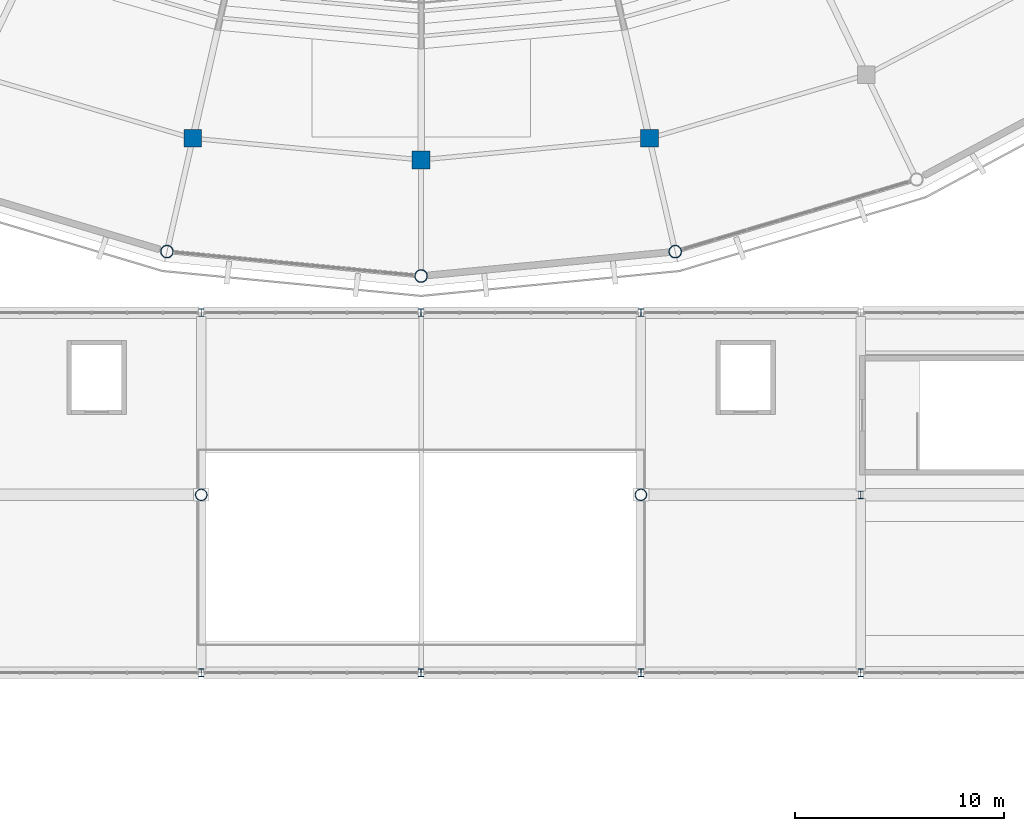
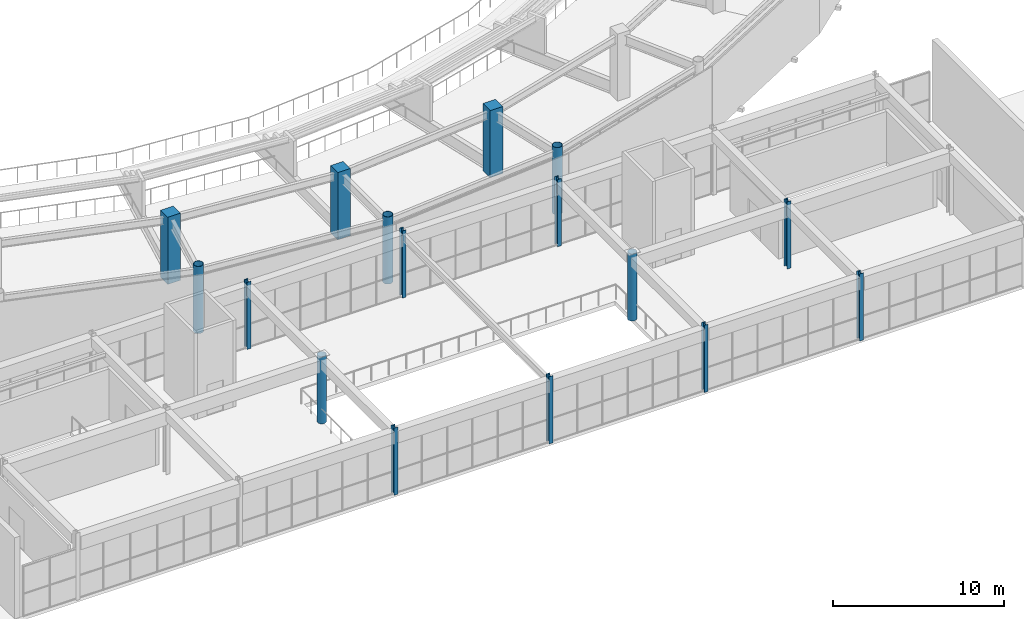
# One storey, part 4 of 122: 16 columns.
"""IFC4 building model written with IfcOpenShell, lengths in metres."""

import ifcopenshell
import ifcopenshell.guid

model = None  # the IFC model being written
_history = None  # IfcOwnerHistory: only IFC2X3 demands one
_inside = {}  # id of a spatial element -> (the spatial element, [elements in it])
_under = {}  # id of a project, library or spatial element -> (it, [spatial elements below it])
_declared = {}  # id of a project -> (the project, [libraries it declares])
_typed = {}  # id of a type object -> (the type object, [elements of that type])
_made_of = {}  # id of a material, layer set ... -> (it, [elements and type objects made of it])


def new_model(schema):
    """Start an empty IFC model of exactly this schema.

    Asked for "IFC4X3", IfcOpenShell would pick the latest addendum, in which some entities
    have other attributes; the version numbers below select the first issue.
    IFC2X3 requires an IfcOwnerHistory on every rooted entity: one is made here for all.
    """
    global model, _history
    if schema == "IFC4X3":
        model = ifcopenshell.file(schema_version=(4, 3, 0, 0))
    else:
        model = ifcopenshell.file(schema=schema)
    _inside.clear()
    _under.clear()
    _declared.clear()
    _typed.clear()
    _made_of.clear()
    _history = None
    if model.schema == "IFC2X3":
        org = make("IfcOrganization", Name="unknown")
        user = make(
            "IfcPersonAndOrganization",
            ThePerson=make("IfcPerson", FamilyName="unknown"),
            TheOrganization=org,
        )
        app = make(
            "IfcApplication",
            ApplicationDeveloper=org,
            Version="unknown",
            ApplicationFullName="unknown",
            ApplicationIdentifier="unknown",
        )
        _history = make(
            "IfcOwnerHistory",
            OwningUser=user,
            OwningApplication=app,
            ChangeAction="ADDED",
            CreationDate=0,
        )
    return model


def make(cls, **values):
    """One entity of the class cls with the attributes given. An attribute that is None is left unset."""
    return model.create_entity(
        cls, **{name: value for name, value in values.items() if value is not None}
    )


def rooted(cls, **values):
    """An entity with a GlobalId (a new one), such as an element, a storey or a relation."""
    return make(cls, GlobalId=ifcopenshell.guid.new(), OwnerHistory=_history, **values)


def si_unit(unit_type, name, prefix=None):
    """IfcSIUnit, for example si_unit("LENGTHUNIT", "METRE", prefix="MILLI")."""
    return make("IfcSIUnit", UnitType=unit_type, Prefix=prefix, Name=name)


def assignment(units):
    """IfcUnitAssignment: the units of a project."""
    return None if units is None else make("IfcUnitAssignment", Units=units)


def point(xyz):
    """IfcCartesianPoint."""
    return None if xyz is None else make("IfcCartesianPoint", Coordinates=xyz)


def direction(xyz):
    """IfcDirection."""
    return None if xyz is None else make("IfcDirection", DirectionRatios=xyz)


def frame(location, z_axis=None, x_axis=None):
    """IfcAxis2Placement3D, a coordinate frame: its origin and axes. An axis left out is left unset."""
    return make(
        "IfcAxis2Placement3D",
        Location=point(location),
        Axis=direction(z_axis),
        RefDirection=direction(x_axis),
    )


def frame_2d(location, x_axis=None):
    """IfcAxis2Placement2D, a coordinate frame in the plane: its origin and x axis."""
    return make(
        "IfcAxis2Placement2D", Location=point(location), RefDirection=direction(x_axis)
    )


def origin():
    """The frame at (0, 0, 0) with its axes left unset."""
    return frame((0.0, 0.0, 0.0))


def origin_2d():
    """The frame at (0, 0) in the plane with its x axis left unset."""
    return frame_2d((0.0, 0.0))


def place(relative_to, where):
    """IfcLocalPlacement: puts the frame where relative to a parent placement (None: the world)."""
    return make(
        "IfcLocalPlacement", PlacementRelTo=relative_to, RelativePlacement=where
    )


def context(
    kind, dimensions, precision=None, world=None, true_north=None, identifier=None
):
    """IfcGeometricRepresentationContext, for example the 3D "Model" context."""
    return make(
        "IfcGeometricRepresentationContext",
        ContextIdentifier=identifier,
        ContextType=kind,
        CoordinateSpaceDimension=dimensions,
        Precision=precision,
        WorldCoordinateSystem=world,
        TrueNorth=true_north,
    )


def subcontext(parent, identifier, kind, view, scale=None):
    """IfcGeometricRepresentationSubContext, for example "Body" below "Model"."""
    return make(
        "IfcGeometricRepresentationSubContext",
        ContextIdentifier=identifier,
        ContextType=kind,
        ParentContext=parent,
        TargetScale=scale,
        TargetView=view,
    )


def project(units=None, contexts=None):
    """IfcProject with its units and contexts."""
    return rooted(
        "IfcProject",
        Name="project",
        RepresentationContexts=contexts,
        UnitsInContext=assignment(units),
    )


def spatial(cls, under=None, at=None, **own):
    """A site, building, storey or space (cls), placed at a placement, below another one or the project."""
    s = rooted(cls, ObjectPlacement=at, **own)
    if under is not None:
        _under.setdefault(under.id(), (under, []))[1].append(s)
    return s


def profile(cls, at=None, kind="AREA", **sizes):
    """A parametric profile (cls). Its sizes go by their IFC names, for example OverallWidth=200.0."""
    return make(cls, ProfileType=kind, Position=at, **sizes)


def rectangle(**sizes):
    """IfcRectangleProfileDef."""
    return profile("IfcRectangleProfileDef", **sizes)


def hollow_circle(**sizes):
    """IfcCircleHollowProfileDef."""
    return profile("IfcCircleHollowProfileDef", **sizes)


def i_section(**sizes):
    """IfcIShapeProfileDef."""
    return profile("IfcIShapeProfileDef", **sizes)


def extrude(swept, where, along, depth):
    """IfcExtrudedAreaSolid: the profile swept, set in the frame where, extruded along a direction by depth."""
    return make(
        "IfcExtrudedAreaSolid",
        SweptArea=swept,
        Position=where,
        ExtrudedDirection=direction(along),
        Depth=depth,
    )


def shape(context_of_items, identifier, shape_type, items):
    """IfcShapeRepresentation: the items that make up one representation, for example the "Body"."""
    return make(
        "IfcShapeRepresentation",
        ContextOfItems=context_of_items,
        RepresentationIdentifier=identifier,
        RepresentationType=shape_type,
        Items=items,
    )


def material(Name=None, Category=None):
    """IfcMaterial."""
    return make("IfcMaterial", Name=Name, Category=Category)


def material_profile(
    of_material, cross_section, Name=None, Category=None, Priority=None
):
    """IfcMaterialProfile: a cross section and its material."""
    return make(
        "IfcMaterialProfile",
        Name=Name,
        Material=of_material,
        Profile=cross_section,
        Priority=Priority,
        Category=Category,
    )


def profile_set(profiles, Name=None, composite=None):
    """IfcMaterialProfileSet."""
    return make(
        "IfcMaterialProfileSet",
        Name=Name,
        MaterialProfiles=profiles,
        CompositeProfile=composite,
    )


def made_of(thing, what):
    """Note that an element or type object is made of a material, layer set ...; save() writes the relation."""
    if what is not None:
        _made_of.setdefault(what.id(), (what, []))[1].append(thing)
    return thing


def type_object(cls, material=None, **own):
    """A type object (cls), such as IfcWallType, which elements share."""
    return made_of(rooted(cls, **own), material)


def element(
    cls,
    number,
    at=None,
    inside=None,
    cuts=None,
    type_object=None,
    material=None,
    context=None,
    identifier="Body",
    shape_type=None,
    held_by="IfcProductDefinitionShape",
    body=None,
    shapes=None,
    **own,
):
    """One element of the class cls, such as IfcWall. Its Tag is "e" and its number.

    at: its placement. inside: the storey or other place that contains it. cuts: it is an
    opening in that element (IfcRelVoidsElement). A single representation is given by context,
    identifier, shape_type and body (its items); several are given by shapes. held_by: the class
    of the entity that holds the representations. save() writes the other relations.
    """
    e = rooted(cls, Tag="e%d" % number, ObjectPlacement=at, **own)
    if body is not None:
        shapes = [shape(context, identifier, shape_type, body)]
    if shapes is not None:
        e.Representation = make(held_by, Representations=shapes)
    if inside is not None:
        _inside.setdefault(inside.id(), (inside, []))[1].append(e)
    if cuts is not None:
        rooted(
            "IfcRelVoidsElement", RelatingBuildingElement=cuts, RelatedOpeningElement=e
        )
    if type_object is not None:
        _typed.setdefault(type_object.id(), (type_object, []))[1].append(e)
    return made_of(e, material)


def aggregate(whole, parts):
    """IfcRelAggregates: a whole, such as a stair, and the parts it consists of."""
    return rooted("IfcRelAggregates", RelatingObject=whole, RelatedObjects=parts)


def save(model, path):
    """Write the relations noted so far, then the file.

    IfcRelAggregates (storeys below a building ...), IfcRelContainedInSpatialStructure (elements
    in a storey), IfcRelDefinesByType, IfcRelAssociatesMaterial and IfcRelDeclares: one each for
    every whole, place, type object, material and project.
    """
    for whole, parts in _under.values():
        aggregate(whole, parts)
    for where, things in _inside.values():
        rooted(
            "IfcRelContainedInSpatialStructure",
            RelatedElements=things,
            RelatingStructure=where,
        )
    for kind, things in _typed.values():
        rooted("IfcRelDefinesByType", RelatedObjects=things, RelatingType=kind)
    for what, things in _made_of.values():
        rooted("IfcRelAssociatesMaterial", RelatedObjects=things, RelatingMaterial=what)
    for by, libraries in _declared.values():
        rooted("IfcRelDeclares", RelatingContext=by, RelatedDefinitions=libraries)
    model.write(path)


model = new_model("IFC4")

# Units and contexts
model_context = context("Model", 3, precision=1e-05, world=origin(), true_north=direction((0.0, 1.0)))
body_context = subcontext(model_context, "Body", "Model", "MODEL_VIEW")
ifc_project = project(units=[si_unit("LENGTHUNIT", "METRE"), si_unit("AREAUNIT", "SQUARE_METRE"), si_unit("VOLUMEUNIT", "CUBIC_METRE"), si_unit("PLANEANGLEUNIT", "RADIAN"), si_unit("MASSUNIT", "GRAM", prefix="KILO")], contexts=[model_context])

# Site, building, storey
site_placement = place(None, origin())
site = spatial("IfcSite", under=ifc_project, at=site_placement, CompositionType="ELEMENT")
building_placement = place(site_placement, origin())
building = spatial("IfcBuilding", under=site, at=building_placement, Name="Cuetzalor Civic Arena", CompositionType="ELEMENT")
storey_placement = place(building_placement, frame((0.0, 0.0, 16.199951171875)))
storey = spatial("IfcBuildingStorey", under=building, at=storey_placement, Name="L03", CompositionType="ELEMENT", Elevation=16.199951171875)

# Columns
ifc_material_1 = material(Name="Concrete C40/50", Category="concrete")
ifc_material_profile_1 = material_profile(ifc_material_1, rectangle(XDim=0.85009765625, YDim=0.85009765625, at=origin_2d()), Name="RC 850x850")
ifc_profile_set_1 = profile_set([ifc_material_profile_1], Name="Concrete C40/50")
column_type_1 = type_object("IfcColumnType", Name="ConcreteColumn_850", PredefinedType="COLUMN", material=ifc_profile_set_1)
for number, where, z_axis, x_axis, name in (
    (1, (-10.903564453125, -39.971923828125, 0.0), (0.0, 0.0, 1.0), (1.0, 0.0, 0.0), "Column V1-REC-21 L03"),
    (2, (0.0, -41.0, 0.0), (0.0, 0.0, 1.0), (1.0, 0.0, 0.0), "Column V1-REC-22 L03"),
    (3, (10.903564453125, -39.971923828125, 0.0), (0.0, 0.0, 1.0), (1.0, 0.0, 0.0), "Column V1-REC-23 L03"),
):
    element("IfcColumn", number, at=place(storey_placement, frame(where, z_axis=z_axis, x_axis=x_axis)), inside=storey, type_object=column_type_1, Name=name, PredefinedType="COLUMN", context=body_context, shape_type="SweptSolid", body=[
        extrude(rectangle(XDim=0.85009765625, YDim=0.85009765625, at=origin_2d()), origin(), (0.0, 0.0, 1.0), 4.800048828125),
    ])
ifc_material_2 = material(Name="Steel S355", Category="steel")
ifc_material_profile_2 = material_profile(ifc_material_2, hollow_circle(Radius=0.304931640625, WallThickness=0.02490234375, at=origin_2d()), Name="CHS 610x25")
ifc_profile_set_2 = profile_set([ifc_material_profile_2], Name="Steel S355")
column_type_2 = type_object("IfcColumnType", Name="SteelDomePylon_CHS610", PredefinedType="COLUMN", material=ifc_profile_set_2)
for number, where, z_axis, x_axis, name in (
    (4, (-12.138427734375, -45.3828125, 0.0), (0.0, 0.0, 1.0), (1.0, 0.0, 0.0), "Column V1-PYL-21 L03"),
    (5, (0.0, -46.550048828125, 0.0), (0.0, 0.0, 1.0), (1.0, 0.0, 0.0), "Column V1-PYL-22 L03"),
    (6, (12.138427734375, -45.3828125, 0.0), (0.0, 0.0, 1.0), (1.0, 0.0, 0.0), "Column V1-PYL-23 L03"),
):
    element("IfcColumn", number, at=place(storey_placement, frame(where, z_axis=z_axis, x_axis=x_axis)), inside=storey, type_object=column_type_2, Name=name, PredefinedType="COLUMN", context=body_context, shape_type="SweptSolid", body=[
        extrude(hollow_circle(Radius=0.304931640625, WallThickness=0.02490234375, at=origin_2d()), origin(), (0.0, 0.0, 1.0), 4.800048828125),
    ])
ifc_material_3 = material(Name="Steel S355", Category="steel")
ifc_material_profile_3 = material_profile(ifc_material_3, hollow_circle(Radius=0.279541015625, WallThickness=0.02001953125, at=origin_2d()), Name="CHS 559x20")
ifc_profile_set_3 = profile_set([ifc_material_profile_3], Name="Steel S355")
column_type_3 = type_object("IfcColumnType", Name="SteelFoyerColumn_CHS559", PredefinedType="COLUMN", material=ifc_profile_set_3)
for number, where, z_axis, x_axis, name in (
    (7, (-10.5, -57.0, 0.0), (0.0, 0.0, 1.0), (1.0, 0.0, 0.0), "Column V3-C-04-03 L03"),
    (8, (10.5, -57.0, 0.0), (0.0, 0.0, 1.0), (1.0, 0.0, 0.0), "Column V3-C-06-03 L03"),
):
    element("IfcColumn", number, at=place(storey_placement, frame(where, z_axis=z_axis, x_axis=x_axis)), inside=storey, type_object=column_type_3, Name=name, PredefinedType="COLUMN", context=body_context, shape_type="SweptSolid", body=[
        extrude(hollow_circle(Radius=0.279541015625, WallThickness=0.02001953125, at=origin_2d()), origin(), (0.0, 0.0, 1.0), 4.800048828125),
    ])
ifc_material_4 = material(Name="Steel S355", Category="steel")
ifc_material_profile_4 = material_profile(ifc_material_4, i_section(OverallWidth=0.257080078125, OverallDepth=0.363037109375, WebThickness=0.012939453125, FlangeThickness=0.021728515625, at=origin_2d()), Name="W360x122")
ifc_profile_set_4 = profile_set([ifc_material_profile_4], Name="Steel S355")
column_type_4 = type_object("IfcColumnType", Name="SteelMezzColumn_W360", PredefinedType="COLUMN", material=ifc_profile_set_4)
for number, where, z_axis, x_axis, name in (
    (9, (-10.5, -65.5, 0.0), (0.0, 0.0, 1.0), (1.0, 0.0, 0.0), "Column V3-C-04-02 L03"),
    (10, (-10.5, -48.300048828125, 0.0), (0.0, 0.0, 1.0), (1.0, 0.0, 0.0), "Column V3-C-04-04 L03"),
    (11, (0.0, -65.5, 0.0), (0.0, 0.0, 1.0), (1.0, 0.0, 0.0), "Column V3-C-05-02 L03"),
    (12, (0.0, -48.300048828125, 0.0), (0.0, 0.0, 1.0), (1.0, 0.0, 0.0), "Column V3-C-05-04 L03"),
    (13, (10.5, -65.5, 0.0), (0.0, 0.0, 1.0), (1.0, 0.0, 0.0), "Column V3-C-06-02 L03"),
    (14, (10.5, -48.300048828125, 0.0), (0.0, 0.0, 1.0), (1.0, 0.0, 0.0), "Column V3-C-06-04 L03"),
    (15, (21.0, -65.5, 0.0), (0.0, 0.0, 1.0), (1.0, 0.0, 0.0), "Column V3-C-07-02 L03"),
    (16, (21.0, -57.0, 0.0), (0.0, 0.0, 1.0), (1.0, 0.0, 0.0), "Column V3-C-07-03 L03"),
):
    element("IfcColumn", number, at=place(storey_placement, frame(where, z_axis=z_axis, x_axis=x_axis)), inside=storey, type_object=column_type_4, Name=name, PredefinedType="COLUMN", context=body_context, shape_type="SweptSolid", body=[
        extrude(i_section(OverallWidth=0.257080078125, OverallDepth=0.363037109375, WebThickness=0.012939453125, FlangeThickness=0.021728515625, at=origin_2d()), origin(), (0.0, 0.0, 1.0), 4.800048828125),
    ])

save(model, "model.ifc")
